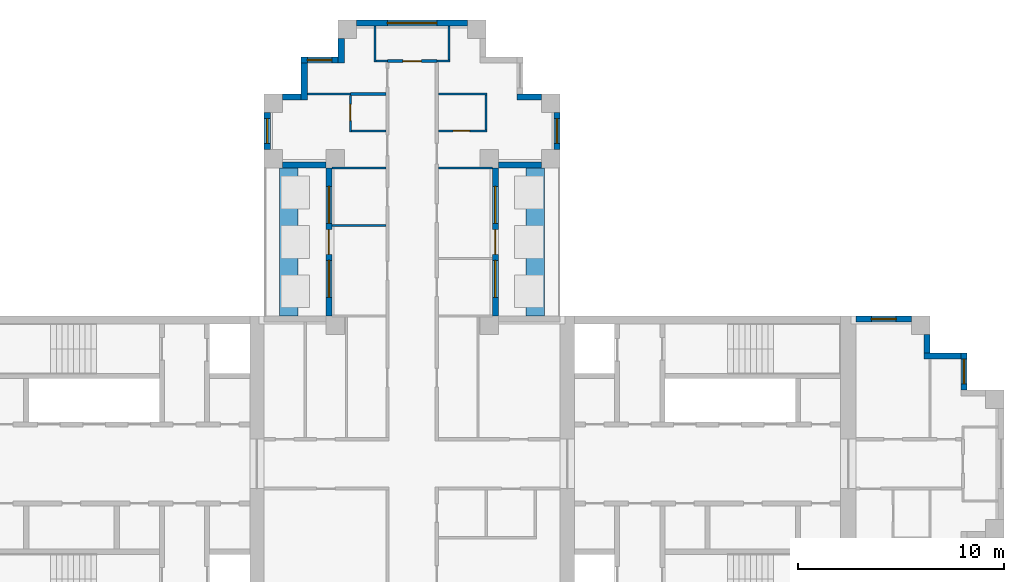
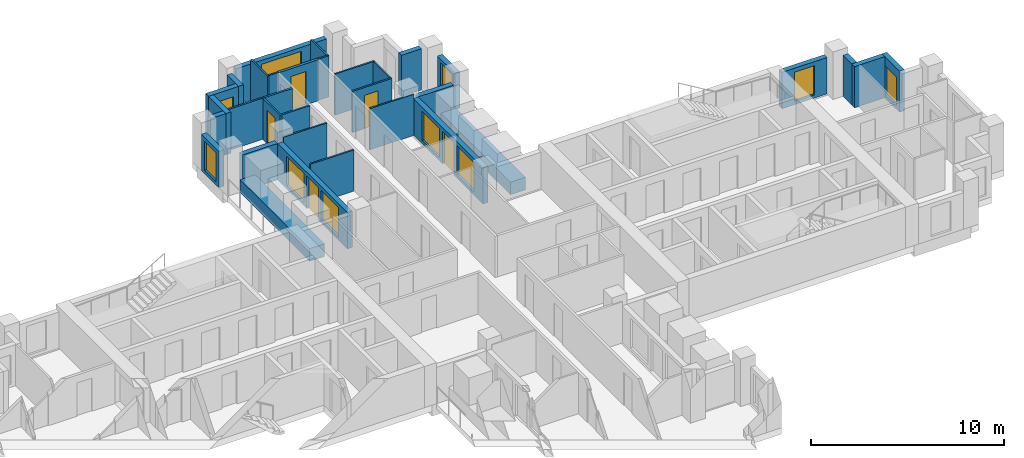
# One storey, part 7 of 10: 33 walls, 10 windows, 5 doors, 15 openings.
"""IFC4 building model written with IfcOpenShell, lengths in metres."""

from ifc_helpers import new_model, si_unit, direction, frame, frame_2d, origin, place, context, subcontext, project, spatial, rectangle, extrude, material, layer, layer_set, type_object, element, fill, save


model = new_model("IFC4")

# Units and contexts
model_context = context("Model", 3, precision=1e-05, world=origin(), true_north=direction((0.0, 1.0)))
body_context = subcontext(model_context, "Body", "Model", "MODEL_VIEW")
ifc_project = project(units=[si_unit("LENGTHUNIT", "METRE"), si_unit("AREAUNIT", "SQUARE_METRE"), si_unit("VOLUMEUNIT", "CUBIC_METRE"), si_unit("PLANEANGLEUNIT", "RADIAN"), si_unit("MASSUNIT", "GRAM", prefix="KILO")], contexts=[model_context])

# Site, building, storey
site_placement = place(None, origin())
site = spatial("IfcSite", under=ifc_project, at=site_placement, CompositionType="ELEMENT")
building_placement = place(site_placement, origin())
building = spatial("IfcBuilding", under=site, at=building_placement, Name="Fustian Cross Tower", CompositionType="ELEMENT")
storey_placement = place(building_placement, frame((0.0, 0.0, 207.89990234375)))
storey = spatial("IfcBuildingStorey", under=building, at=storey_placement, Name="L65", CompositionType="ELEMENT", Elevation=207.89990234375)

# Wall, opening, door
ifc_material_1 = material(Name="Plasterboard on steel stud", Category="steel")
ifc_layer_1 = layer(ifc_material_1, 0.14990234375)
ifc_layer_set_1 = layer_set([ifc_layer_1], Name="Plasterboard on steel stud")
wall_type_1 = type_object("IfcWallType", Name="COMPARTMENT WALL 150 EI 60", PredefinedType="PARTITIONING", material=ifc_layer_set_1)
wall_1_placement = place(storey_placement, frame((-1.199951171875, 19.60009765625, 0.0), z_axis=(0.0, 0.0, 1.0), x_axis=(1.0, 0.0, 0.0)))
wall_1 = element("IfcWall", 1, at=wall_1_placement, inside=storey, type_object=wall_type_1, Name="Partition 31", PredefinedType="PARTITIONING", context=body_context, shape_type="SweptSolid", body=[
    extrude(rectangle(XDim=2.39990234375, YDim=0.14990234375, at=frame_2d((1.199951171875, 0.0))), origin(), (0.0, 0.0, 1.0), 2.60009765625),
])
opening_1_placement = place(wall_1_placement, frame((0.75, 0.0, 0.0)))
opening_1 = element("IfcOpeningElement", 2, at=opening_1_placement, cuts=wall_1, Name="Opening D30015", PredefinedType="OPENING", context=body_context, shape_type="SweptSolid", body=[
    extrude(rectangle(XDim=0.89990234375, YDim=2.10009765625, at=frame_2d((0.449951171875, 1.050048828125))), frame((0.0, 0.0849609375, 0.0), z_axis=(0.0, -1.0, 0.0), x_axis=(1.0, 0.0, 0.0)), (0.0, 0.0, 1.0), 0.169921875),
])
ifc_material_2 = material(Name="Timber fire door set", Category="wood")
door_type_1 = type_object("IfcDoorType", Name="FIRE SWING DOOR 900 FD30S", OperationType="SINGLE_SWING_LEFT", PredefinedType="DOOR", material=ifc_material_2)
door_1_placement = place(opening_1_placement, origin())
door_1 = element("IfcDoor", 3, at=door_1_placement, inside=storey, type_object=door_type_1, Name="Door D30015", OperationType="SINGLE_SWING_LEFT", OverallHeight=2.10009765625, OverallWidth=0.89990234375, PredefinedType="DOOR", context=body_context, shape_type="SweptSolid", body=[
    extrude(rectangle(XDim=0.89990234375, YDim=2.10009765625, at=frame_2d((0.449951171875, 1.050048828125))), frame((0.0, 0.02490234375, 0.0), z_axis=(0.0, -1.0, 0.0), x_axis=(1.0, 0.0, 0.0)), (0.0, 0.0, 1.0), 0.050048828125),
])
fill(opening_1, door_1)

# Walls
ifc_material_3 = material(Name="Plasterboard on steel stud", Category="steel")
ifc_layer_2 = layer(ifc_material_3, 0.10009765625)
ifc_layer_set_2 = layer_set([ifc_layer_2], Name="Plasterboard on steel stud")
wall_type_2 = type_object("IfcWallType", Name="PARTITION 100 STUD", PredefinedType="PARTITIONING", material=ifc_layer_set_2)
wall_2_placement = place(storey_placement, frame((-5.10009765625, 18.0, 0.0), z_axis=(0.0, 0.0, 1.0), x_axis=(1.0, 0.0, 0.0)))
element("IfcWall", 4, at=wall_2_placement, inside=storey, type_object=wall_type_2, Name="Partition 13", PredefinedType="PARTITIONING", context=body_context, shape_type="SweptSolid", body=[
    extrude(rectangle(XDim=2.10009765625, YDim=0.10009765625, at=frame_2d((1.050048828125, 0.0))), origin(), (0.0, 0.0, 1.0), 2.60009765625),
])
for number, where, z_axis, x_axis, name in (
    (5, (-3.89990234375, 11.60009765625, 0.0), (0.0, 0.0, 1.0), (1.0, 0.0, 0.0), "Partition 18"),
    (6, (-3.89990234375, 14.39990234375, 0.0), (0.0, 0.0, 1.0), (1.0, 0.0, 0.0), "Partition 19"),
):
    element("IfcWall", number, at=place(storey_placement, frame(where, z_axis=z_axis, x_axis=x_axis)), inside=storey, type_object=wall_type_2, Name=name, PredefinedType="PARTITIONING", context=body_context, shape_type="SweptSolid", body=[
        extrude(rectangle(XDim=2.625, YDim=0.10009765625, at=frame_2d((1.3125, 0.0))), origin(), (0.0, 0.0, 1.0), 2.60009765625),
    ])

# Wall, opening, door
wall_3_placement = place(storey_placement, frame((-3.0, 16.14990234375, 0.0), z_axis=(0.0, 0.0, 1.0), x_axis=(0.0, 1.0, 0.0)))
wall_3 = element("IfcWall", 7, at=wall_3_placement, inside=storey, type_object=wall_type_2, Name="Partition 21", PredefinedType="PARTITIONING", context=body_context, shape_type="SweptSolid", body=[
    extrude(rectangle(XDim=1.78759765625, YDim=0.10009765625, at=frame_2d((0.893798828125, 0.0))), origin(), (0.0, 0.0, 1.0), 2.60009765625),
])
opening_2_placement = place(wall_3_placement, frame((0.550048828125, 0.0, 0.0)))
opening_2 = element("IfcOpeningElement", 8, at=opening_2_placement, cuts=wall_3, Name="Opening D30018", PredefinedType="OPENING", context=body_context, shape_type="SweptSolid", body=[
    extrude(rectangle(XDim=0.800048828125, YDim=2.10009765625, at=frame_2d((0.39990234375, 1.050048828125))), frame((0.0, 0.06005859375, 0.0), z_axis=(0.0, -1.0, 0.0), x_axis=(1.0, 0.0, 0.0)), (0.0, 0.0, 1.0), 0.1201171875),
])
ifc_material_4 = material(Name="Painted timber", Category="wood")
door_type_2 = type_object("IfcDoorType", Name="SWING DOOR 800", OperationType="SINGLE_SWING_LEFT", PredefinedType="DOOR", material=ifc_material_4)
door_2_placement = place(opening_2_placement, frame((0.800048828125, 0.0, 0.0), z_axis=(0.0, 0.0, 1.0), x_axis=(-1.0, 0.0, 0.0)))
door_2 = element("IfcDoor", 9, at=door_2_placement, inside=storey, type_object=door_type_2, Name="Door D30018", OperationType="SINGLE_SWING_LEFT", OverallHeight=2.10009765625, OverallWidth=0.800048828125, PredefinedType="DOOR", context=body_context, shape_type="SweptSolid", body=[
    extrude(rectangle(XDim=0.800048828125, YDim=2.10009765625, at=frame_2d((0.39990234375, 1.050048828125))), frame((0.0, 0.02490234375, 0.0), z_axis=(0.0, -1.0, 0.0), x_axis=(1.0, 0.0, 0.0)), (0.0, 0.0, 1.0), 0.050048828125),
])
fill(opening_2, door_2)

# Walls
wall_4_placement = place(storey_placement, frame((-2.949951171875, 16.199951171875, 0.0), z_axis=(0.0, 0.0, 1.0), x_axis=(1.0, 0.0, 0.0)))
element("IfcWall", 10, at=wall_4_placement, inside=storey, type_object=wall_type_2, Name="Partition 22", PredefinedType="PARTITIONING", context=body_context, shape_type="SweptSolid", body=[
    extrude(rectangle(XDim=1.675048828125, YDim=0.10009765625, at=frame_2d((0.83740234375, 0.0))), origin(), (0.0, 0.0, 1.0), 2.60009765625),
])
wall_5_placement = place(storey_placement, frame((-1.800048828125, 19.550048828125, 0.0), z_axis=(0.0, 0.0, 1.0), x_axis=(0.0, 1.0, 0.0)))
element("IfcWall", 11, at=wall_5_placement, inside=storey, type_object=wall_type_2, Name="Partition 26", PredefinedType="PARTITIONING", context=body_context, shape_type="SweptSolid", body=[
    extrude(rectangle(XDim=1.75, YDim=0.10009765625, at=frame_2d((0.875, 0.0))), origin(), (0.0, 0.0, 1.0), 2.60009765625),
])
wall_6_placement = place(storey_placement, frame((-1.75, 19.60009765625, 0.0), z_axis=(0.0, 0.0, 1.0), x_axis=(1.0, 0.0, 0.0)))
element("IfcWall", 12, at=wall_6_placement, inside=storey, type_object=wall_type_2, Name="Partition 27", PredefinedType="PARTITIONING", context=body_context, shape_type="SweptSolid", body=[
    extrude(rectangle(XDim=0.550048828125, YDim=0.10009765625, at=frame_2d((0.27490234375, 0.0))), origin(), (0.0, 0.0, 1.0), 2.60009765625),
])
wall_7_placement = place(storey_placement, frame((1.27490234375, 14.39990234375, 0.0), z_axis=(0.0, 0.0, 1.0), x_axis=(1.0, 0.0, 0.0)))
element("IfcWall", 13, at=wall_7_placement, inside=storey, type_object=wall_type_2, Name="Partition 42", PredefinedType="PARTITIONING", context=body_context, shape_type="SweptSolid", body=[
    extrude(rectangle(XDim=2.625, YDim=0.10009765625, at=frame_2d((1.3125, 0.0))), origin(), (0.0, 0.0, 1.0), 2.60009765625),
])

# Wall, opening, door
wall_8_placement = place(storey_placement, frame((1.27490234375, 16.199951171875, 0.0), z_axis=(0.0, 0.0, 1.0), x_axis=(1.0, 0.0, 0.0)))
wall_8 = element("IfcWall", 14, at=wall_8_placement, inside=storey, type_object=wall_type_2, Name="Partition 43", PredefinedType="PARTITIONING", context=body_context, shape_type="SweptSolid", body=[
    extrude(rectangle(XDim=2.375, YDim=0.10009765625, at=frame_2d((1.1875, 0.0))), origin(), (0.0, 0.0, 1.0), 2.60009765625),
])
opening_3_placement = place(wall_8_placement, frame((0.72509765625, 0.0, 0.0)))
opening_3 = element("IfcOpeningElement", 15, at=opening_3_placement, cuts=wall_8, Name="Opening D30023", PredefinedType="OPENING", context=body_context, shape_type="SweptSolid", body=[
    extrude(rectangle(XDim=0.800048828125, YDim=2.10009765625, at=frame_2d((0.39990234375, 1.050048828125))), frame((0.0, 0.06005859375, 0.0), z_axis=(0.0, -1.0, 0.0), x_axis=(1.0, 0.0, 0.0)), (0.0, 0.0, 1.0), 0.1201171875),
])
door_3_placement = place(opening_3_placement, origin())
door_3 = element("IfcDoor", 16, at=door_3_placement, inside=storey, type_object=door_type_2, Name="Door D30023", OperationType="SINGLE_SWING_LEFT", OverallHeight=2.10009765625, OverallWidth=0.800048828125, PredefinedType="DOOR", context=body_context, shape_type="SweptSolid", body=[
    extrude(rectangle(XDim=0.800048828125, YDim=2.10009765625, at=frame_2d((0.39990234375, 1.050048828125))), frame((0.0, 0.02490234375, 0.0), z_axis=(0.0, -1.0, 0.0), x_axis=(1.0, 0.0, 0.0)), (0.0, 0.0, 1.0), 0.050048828125),
])
fill(opening_3, door_3)

# Walls
wall_9_placement = place(storey_placement, frame((1.27490234375, 18.0, 0.0), z_axis=(0.0, 0.0, 1.0), x_axis=(1.0, 0.0, 0.0)))
element("IfcWall", 17, at=wall_9_placement, inside=storey, type_object=wall_type_2, Name="Partition 44", PredefinedType="PARTITIONING", context=body_context, shape_type="SweptSolid", body=[
    extrude(rectangle(XDim=2.375, YDim=0.10009765625, at=frame_2d((1.1875, 0.0))), origin(), (0.0, 0.0, 1.0), 2.60009765625),
])
wall_10_placement = place(storey_placement, frame((1.199951171875, 19.60009765625, 0.0), z_axis=(0.0, 0.0, 1.0), x_axis=(1.0, 0.0, 0.0)))
element("IfcWall", 18, at=wall_10_placement, inside=storey, type_object=wall_type_2, Name="Partition 45", PredefinedType="PARTITIONING", context=body_context, shape_type="SweptSolid", body=[
    extrude(rectangle(XDim=0.650146484375, YDim=0.10009765625, at=frame_2d((0.3251953125, 0.0))), origin(), (0.0, 0.0, 1.0), 2.60009765625),
])
wall_11_placement = place(storey_placement, frame((1.800048828125, 19.64990234375, 0.0), z_axis=(0.0, 0.0, 1.0), x_axis=(0.0, 1.0, 0.0)))
element("IfcWall", 19, at=wall_11_placement, inside=storey, type_object=wall_type_2, Name="Partition 47", PredefinedType="PARTITIONING", context=body_context, shape_type="SweptSolid", body=[
    extrude(rectangle(XDim=1.650146484375, YDim=0.10009765625, at=frame_2d((0.8251953125, 0.0))), origin(), (0.0, 0.0, 1.0), 2.60009765625),
])
wall_12_placement = place(storey_placement, frame((3.60009765625, 16.25, 0.0), z_axis=(0.0, 0.0, 1.0), x_axis=(0.0, 1.0, 0.0)))
element("IfcWall", 20, at=wall_12_placement, inside=storey, type_object=wall_type_2, Name="Partition 50", PredefinedType="PARTITIONING", context=body_context, shape_type="SweptSolid", body=[
    extrude(rectangle(XDim=1.699951171875, YDim=0.10009765625, at=frame_2d((0.85009765625, 0.0))), origin(), (0.0, 0.0, 1.0), 2.60009765625),
])
ifc_material_5 = material(Name="Concrete C40/50", Category="concrete")
ifc_layer_3 = layer(ifc_material_5, 0.89990234375)
ifc_layer_set_3 = layer_set([ifc_layer_3], Name="Concrete C40/50")
wall_type_3 = type_object("IfcWallType", Name="PK1 PLANTER 900", PredefinedType="PARAPET", material=ifc_layer_set_3)
for number, where, z_axis, x_axis, name in (
    (21, (6.0, 7.199951171875, 0.0), (0.0, 0.0, 1.0), (0.0, 1.0, 0.0), "PLANTER"),
    (22, (-6.0, 7.199951171875, 0.0), (0.0, 0.0, 1.0), (0.0, 1.0, 0.0), "PLANTER"),
):
    element("IfcWall", number, at=place(storey_placement, frame(where, z_axis=z_axis, x_axis=x_axis)), inside=storey, type_object=wall_type_3, Name=name, PredefinedType="PARAPET", context=body_context, shape_type="SweptSolid", body=[
        extrude(rectangle(XDim=7.199951171875, YDim=0.89990234375, at=frame_2d((3.60009765625, 0.0))), origin(), (0.0, 0.0, 1.0), 0.800048828125),
    ])
ifc_material_6 = material(Name="Plasterboard on steel stud", Category="steel")
ifc_layer_4 = layer(ifc_material_6, 0.125)
ifc_layer_set_4 = layer_set([ifc_layer_4], Name="Plasterboard on steel stud")
wall_type_4 = type_object("IfcWallType", Name="WET WALL 125 STUD", PredefinedType="PARTITIONING", material=ifc_layer_set_4)
wall_13_placement = place(storey_placement, frame((-3.0, 18.0, 0.0), z_axis=(0.0, 0.0, 1.0), x_axis=(1.0, 0.0, 0.0)))
element("IfcWall", 23, at=wall_13_placement, inside=storey, type_object=wall_type_4, Name="Partition 23", PredefinedType="PARTITIONING", context=body_context, shape_type="SweptSolid", body=[
    extrude(rectangle(XDim=1.72509765625, YDim=0.125, at=frame_2d((0.862548828125, 0.0))), origin(), (0.0, 0.0, 1.0), 2.60009765625),
])

# Wall, opening, window
ifc_material_7 = material(Name="Dark aluminium cladding on insulated backing wall", Category="aluminium")
ifc_layer_5 = layer(ifc_material_7, 0.300048828125)
ifc_layer_set_5 = layer_set([ifc_layer_5], Name="Dark aluminium cladding on insulated backing wall")
wall_type_5 = type_object("IfcWallType", Name="XW1 EXTERNAL WALL 300", PredefinedType="SOLIDWALL", material=ifc_layer_set_5)
wall_14_placement = place(storey_placement, frame((26.85009765625, 3.60009765625, 0.0), z_axis=(0.0, 0.0, 1.0), x_axis=(0.0, 1.0, 0.0)))
wall_14 = element("IfcWall", 24, at=wall_14_placement, inside=storey, type_object=wall_type_5, Name="External wall", PredefinedType="SOLIDWALL", context=body_context, shape_type="SweptSolid", body=[
    extrude(rectangle(XDim=1.7998046875, YDim=0.300048828125, at=frame_2d((0.89990234375, 0.0))), origin(), (0.0, 0.0, 1.0), 2.60009765625),
])
opening_4_placement = place(wall_14_placement, frame((0.300048828125, 0.0, 0.199951171875)))
opening_4 = element("IfcOpeningElement", 25, at=opening_4_placement, cuts=wall_14, Name="Opening WN3", PredefinedType="OPENING", context=body_context, shape_type="SweptSolid", body=[
    extrude(rectangle(XDim=1.199951171875, YDim=1.85009765625, at=frame_2d((0.60009765625, 0.925048828125))), frame((0.0, 0.159912109375, 0.0), z_axis=(0.0, -1.0, 0.0), x_axis=(1.0, 0.0, 0.0)), (0.0, 0.0, 1.0), 0.320068359375),
])
ifc_material_8 = material(Name="Dark anodised aluminium and double glazing", Category="aluminium")
window_type_1 = type_object("IfcWindowType", Name="WN3 WINDOW 1200X1850", PartitioningType="SINGLE_PANEL", PredefinedType="WINDOW", material=ifc_material_8)
window_1_placement = place(opening_4_placement, origin())
window_1 = element("IfcWindow", 26, at=window_1_placement, inside=storey, type_object=window_type_1, Name="Window", OverallHeight=1.85009765625, OverallWidth=1.199951171875, PartitioningType="SINGLE_PANEL", PredefinedType="WINDOW", context=body_context, shape_type="SweptSolid", body=[
    extrude(rectangle(XDim=1.199951171875, YDim=1.85009765625, at=frame_2d((0.60009765625, 0.925048828125))), frame((0.0, 0.030029296875, 0.0), z_axis=(0.0, -1.0, 0.0), x_axis=(1.0, 0.0, 0.0)), (0.0, 0.0, 1.0), 0.06005859375),
])
fill(opening_4, window_1)

# Walls
wall_15_placement = place(storey_placement, frame((26.699951171875, 5.25, 0.0), z_axis=(0.0, 0.0, 1.0), x_axis=(-1.0, 0.0, 0.0)))
element("IfcWall", 27, at=wall_15_placement, inside=storey, type_object=wall_type_5, Name="External wall", PredefinedType="SOLIDWALL", context=body_context, shape_type="SweptSolid", body=[
    extrude(rectangle(XDim=1.800048828125, YDim=0.300048828125, at=frame_2d((0.89990234375, 0.0))), origin(), (0.0, 0.0, 1.0), 2.60009765625),
])
wall_16_placement = place(storey_placement, frame((25.050048828125, 5.39990234375, 0.0), z_axis=(0.0, 0.0, 1.0), x_axis=(0.0, 1.0, 0.0)))
element("IfcWall", 28, at=wall_16_placement, inside=storey, type_object=wall_type_5, Name="External wall", PredefinedType="SOLIDWALL", context=body_context, shape_type="SweptSolid", body=[
    extrude(rectangle(XDim=0.900146484375, YDim=0.300048828125, at=frame_2d((0.4501953125, 0.0))), origin(), (0.0, 0.0, 1.0), 2.60009765625),
])

# Wall, opening, window
wall_17_placement = place(storey_placement, frame((24.300048828125, 7.050048828125, 0.0), z_axis=(0.0, 0.0, 1.0), x_axis=(-1.0, 0.0, 0.0)))
wall_17 = element("IfcWall", 29, at=wall_17_placement, inside=storey, type_object=wall_type_5, Name="External wall", PredefinedType="SOLIDWALL", context=body_context, shape_type="SweptSolid", body=[
    extrude(rectangle(XDim=2.699951171875, YDim=0.300048828125, at=frame_2d((1.35009765625, 0.0))), origin(), (0.0, 0.0, 1.0), 2.300048828125),
])
opening_5_placement = place(wall_17_placement, frame((0.75, 0.0, 0.199951171875)))
opening_5 = element("IfcOpeningElement", 30, at=opening_5_placement, cuts=wall_17, Name="Opening WN3", PredefinedType="OPENING", context=body_context, shape_type="SweptSolid", body=[
    extrude(rectangle(XDim=1.199951171875, YDim=1.85009765625, at=frame_2d((0.60009765625, 0.925048828125))), frame((0.0, 0.159912109375, 0.0), z_axis=(0.0, -1.0, 0.0), x_axis=(1.0, 0.0, 0.0)), (0.0, 0.0, 1.0), 0.320068359375),
])
window_2_placement = place(opening_5_placement, origin())
window_2 = element("IfcWindow", 31, at=window_2_placement, inside=storey, type_object=window_type_1, Name="Window", OverallHeight=1.85009765625, OverallWidth=1.199951171875, PartitioningType="SINGLE_PANEL", PredefinedType="WINDOW", context=body_context, shape_type="SweptSolid", body=[
    extrude(rectangle(XDim=1.199951171875, YDim=1.85009765625, at=frame_2d((0.60009765625, 0.925048828125))), frame((0.0, 0.030029296875, 0.0), z_axis=(0.0, -1.0, 0.0), x_axis=(1.0, 0.0, 0.0)), (0.0, 0.0, 1.0), 0.06005859375),
])
fill(opening_5, window_2)

# Wall, openings, door, windows
wall_18_placement = place(storey_placement, frame((4.050048828125, 7.199951171875, 0.0), z_axis=(0.0, 0.0, 1.0), x_axis=(0.0, 1.0, 0.0)))
wall_18 = element("IfcWall", 32, at=wall_18_placement, inside=storey, type_object=wall_type_5, Name="External wall", PredefinedType="SOLIDWALL", context=body_context, shape_type="SweptSolid", body=[
    extrude(rectangle(XDim=7.199951171875, YDim=0.300048828125, at=frame_2d((3.60009765625, 0.0))), origin(), (0.0, 0.0, 1.0), 2.300048828125),
])
opening_6_placement = place(wall_18_placement, frame((3.0, 0.0, 0.0)))
opening_6 = element("IfcOpeningElement", 33, at=opening_6_placement, cuts=wall_18, Name="Opening XD1", PredefinedType="OPENING", context=body_context, shape_type="SweptSolid", body=[
    extrude(rectangle(XDim=1.199951171875, YDim=2.050048828125, at=frame_2d((0.60009765625, 1.02490234375))), frame((0.0, 0.159912109375, 0.0), z_axis=(0.0, -1.0, 0.0), x_axis=(1.0, 0.0, 0.0)), (0.0, 0.0, 1.0), 0.320068359375),
])
opening_7_placement = place(wall_18_placement, frame((0.89990234375, 0.0, 0.199951171875)))
opening_7 = element("IfcOpeningElement", 34, at=opening_7_placement, cuts=wall_18, Name="Opening WN2", PredefinedType="OPENING", context=body_context, shape_type="SweptSolid", body=[
    extrude(rectangle(XDim=1.800048828125, YDim=1.85009765625, at=frame_2d((0.89990234375, 0.925048828125))), frame((0.0, 0.159912109375, 0.0), z_axis=(0.0, -1.0, 0.0), x_axis=(1.0, 0.0, 0.0)), (0.0, 0.0, 1.0), 0.320068359375),
])
opening_8_placement = place(wall_18_placement, frame((4.5, 0.0, 0.199951171875)))
opening_8 = element("IfcOpeningElement", 35, at=opening_8_placement, cuts=wall_18, Name="Opening WN2", PredefinedType="OPENING", context=body_context, shape_type="SweptSolid", body=[
    extrude(rectangle(XDim=1.800048828125, YDim=1.85009765625, at=frame_2d((0.89990234375, 0.925048828125))), frame((0.0, 0.159912109375, 0.0), z_axis=(0.0, -1.0, 0.0), x_axis=(1.0, 0.0, 0.0)), (0.0, 0.0, 1.0), 0.320068359375),
])
ifc_material_9 = material(Name="Dark anodised aluminium and double glazing", Category="aluminium")
door_type_3 = type_object("IfcDoorType", Name="ED1 BALCONY DOOR 1200X2050", OperationType="SINGLE_SWING_LEFT", PredefinedType="DOOR", material=ifc_material_9)
door_4_placement = place(opening_6_placement, origin())
door_4 = element("IfcDoor", 36, at=door_4_placement, inside=storey, type_object=door_type_3, Name="Balcony door", OperationType="SINGLE_SWING_LEFT", OverallHeight=2.050048828125, OverallWidth=1.199951171875, PredefinedType="DOOR", context=body_context, shape_type="SweptSolid", body=[
    extrude(rectangle(XDim=1.199951171875, YDim=2.050048828125, at=frame_2d((0.60009765625, 1.02490234375))), frame((0.0, 0.02490234375, 0.0), z_axis=(0.0, -1.0, 0.0), x_axis=(1.0, 0.0, 0.0)), (0.0, 0.0, 1.0), 0.050048828125),
])
fill(opening_6, door_4)
ifc_material_10 = material(Name="Dark anodised aluminium and double glazing", Category="aluminium")
window_type_2 = type_object("IfcWindowType", Name="WN2 WINDOW 1800X1850", PartitioningType="SINGLE_PANEL", PredefinedType="WINDOW", material=ifc_material_10)
window_3_placement = place(opening_7_placement, origin())
window_3 = element("IfcWindow", 37, at=window_3_placement, inside=storey, type_object=window_type_2, Name="Window", OverallHeight=1.85009765625, OverallWidth=1.800048828125, PartitioningType="SINGLE_PANEL", PredefinedType="WINDOW", context=body_context, shape_type="SweptSolid", body=[
    extrude(rectangle(XDim=1.800048828125, YDim=1.85009765625, at=frame_2d((0.89990234375, 0.925048828125))), frame((0.0, 0.030029296875, 0.0), z_axis=(0.0, -1.0, 0.0), x_axis=(1.0, 0.0, 0.0)), (0.0, 0.0, 1.0), 0.06005859375),
])
fill(opening_7, window_3)
window_4_placement = place(opening_8_placement, origin())
window_4 = element("IfcWindow", 38, at=window_4_placement, inside=storey, type_object=window_type_2, Name="Window", OverallHeight=1.85009765625, OverallWidth=1.800048828125, PartitioningType="SINGLE_PANEL", PredefinedType="WINDOW", context=body_context, shape_type="SweptSolid", body=[
    extrude(rectangle(XDim=1.800048828125, YDim=1.85009765625, at=frame_2d((0.89990234375, 0.925048828125))), frame((0.0, 0.030029296875, 0.0), z_axis=(0.0, -1.0, 0.0), x_axis=(1.0, 0.0, 0.0)), (0.0, 0.0, 1.0), 0.06005859375),
])
fill(opening_8, window_4)

# Wall
wall_19_placement = place(storey_placement, frame((4.199951171875, 14.550048828125, 0.0), z_axis=(0.0, 0.0, 1.0), x_axis=(1.0, 0.0, 0.0)))
element("IfcWall", 39, at=wall_19_placement, inside=storey, type_object=wall_type_5, Name="External wall", PredefinedType="SOLIDWALL", context=body_context, shape_type="SweptSolid", body=[
    extrude(rectangle(XDim=2.10009765625, YDim=0.300048828125, at=frame_2d((1.050048828125, 0.0))), origin(), (0.0, 0.0, 1.0), 2.300048828125),
])

# Wall, opening, window
wall_20_placement = place(storey_placement, frame((7.050048828125, 15.300048828125, 0.0), z_axis=(0.0, 0.0, 1.0), x_axis=(0.0, 1.0, 0.0)))
wall_20 = element("IfcWall", 40, at=wall_20_placement, inside=storey, type_object=wall_type_5, Name="External wall", PredefinedType="SOLIDWALL", context=body_context, shape_type="SweptSolid", body=[
    extrude(rectangle(XDim=1.800048828125, YDim=0.300048828125, at=frame_2d((0.89990234375, 0.0))), origin(), (0.0, 0.0, 1.0), 2.300048828125),
])
opening_9_placement = place(wall_20_placement, frame((0.300048828125, 0.0, 0.199951171875)))
opening_9 = element("IfcOpeningElement", 41, at=opening_9_placement, cuts=wall_20, Name="Opening WN3", PredefinedType="OPENING", context=body_context, shape_type="SweptSolid", body=[
    extrude(rectangle(XDim=1.199951171875, YDim=1.85009765625, at=frame_2d((0.60009765625, 0.925048828125))), frame((0.0, 0.159912109375, 0.0), z_axis=(0.0, -1.0, 0.0), x_axis=(1.0, 0.0, 0.0)), (0.0, 0.0, 1.0), 0.320068359375),
])
window_5_placement = place(opening_9_placement, origin())
window_5 = element("IfcWindow", 42, at=window_5_placement, inside=storey, type_object=window_type_1, Name="Window", OverallHeight=1.85009765625, OverallWidth=1.199951171875, PartitioningType="SINGLE_PANEL", PredefinedType="WINDOW", context=body_context, shape_type="SweptSolid", body=[
    extrude(rectangle(XDim=1.199951171875, YDim=1.85009765625, at=frame_2d((0.60009765625, 0.925048828125))), frame((0.0, 0.030029296875, 0.0), z_axis=(0.0, -1.0, 0.0), x_axis=(1.0, 0.0, 0.0)), (0.0, 0.0, 1.0), 0.06005859375),
])
fill(opening_9, window_5)

# Wall
wall_21_placement = place(storey_placement, frame((6.300048828125, 17.85009765625, 0.0), z_axis=(0.0, 0.0, 1.0), x_axis=(-1.0, 0.0, 0.0)))
element("IfcWall", 43, at=wall_21_placement, inside=storey, type_object=wall_type_5, Name="External wall", PredefinedType="SOLIDWALL", context=body_context, shape_type="SweptSolid", body=[
    extrude(rectangle(XDim=1.199951171875, YDim=0.300048828125, at=frame_2d((0.60009765625, 0.0))), origin(), (0.0, 0.0, 1.0), 2.60009765625),
])

# Wall, opening, window
wall_22_placement = place(storey_placement, frame((2.699951171875, 21.449951171875, 0.0), z_axis=(0.0, 0.0, 1.0), x_axis=(-1.0, 0.0, 0.0)))
wall_22 = element("IfcWall", 44, at=wall_22_placement, inside=storey, type_object=wall_type_5, Name="External wall", PredefinedType="SOLIDWALL", context=body_context, shape_type="SweptSolid", body=[
    extrude(rectangle(XDim=5.39990234375, YDim=0.300048828125, at=frame_2d((2.699951171875, 0.0))), origin(), (0.0, 0.0, 1.0), 2.300048828125),
])
opening_10_placement = place(wall_22_placement, frame((1.5, 0.0, 0.199951171875)))
opening_10 = element("IfcOpeningElement", 45, at=opening_10_placement, cuts=wall_22, Name="Opening WN1", PredefinedType="OPENING", context=body_context, shape_type="SweptSolid", body=[
    extrude(rectangle(XDim=2.39990234375, YDim=1.85009765625, at=frame_2d((1.199951171875, 0.925048828125))), frame((0.0, 0.159912109375, 0.0), z_axis=(0.0, -1.0, 0.0), x_axis=(1.0, 0.0, 0.0)), (0.0, 0.0, 1.0), 0.320068359375),
])
ifc_material_11 = material(Name="Dark anodised aluminium and double glazing", Category="aluminium")
window_type_3 = type_object("IfcWindowType", Name="WN1 WINDOW 2400X1850", PartitioningType="SINGLE_PANEL", PredefinedType="WINDOW", material=ifc_material_11)
window_6_placement = place(opening_10_placement, origin())
window_6 = element("IfcWindow", 46, at=window_6_placement, inside=storey, type_object=window_type_3, Name="Window", OverallHeight=1.85009765625, OverallWidth=2.39990234375, PartitioningType="SINGLE_PANEL", PredefinedType="WINDOW", context=body_context, shape_type="SweptSolid", body=[
    extrude(rectangle(XDim=2.39990234375, YDim=1.85009765625, at=frame_2d((1.199951171875, 0.925048828125))), frame((0.0, 0.030029296875, 0.0), z_axis=(0.0, -1.0, 0.0), x_axis=(1.0, 0.0, 0.0)), (0.0, 0.0, 1.0), 0.06005859375),
])
fill(opening_10, window_6)

# Wall
wall_23_placement = place(storey_placement, frame((-3.449951171875, 20.699951171875, 0.0), z_axis=(0.0, 0.0, 1.0), x_axis=(0.0, -1.0, 0.0)))
element("IfcWall", 47, at=wall_23_placement, inside=storey, type_object=wall_type_5, Name="External wall", PredefinedType="SOLIDWALL", context=body_context, shape_type="SweptSolid", body=[
    extrude(rectangle(XDim=1.199951171875, YDim=0.300048828125, at=frame_2d((0.60009765625, 0.0))), origin(), (0.0, 0.0, 1.0), 2.60009765625),
])

# Wall, opening, window
wall_24_placement = place(storey_placement, frame((-3.60009765625, 19.64990234375, 0.0), z_axis=(0.0, 0.0, 1.0), x_axis=(-1.0, 0.0, 0.0)))
wall_24 = element("IfcWall", 48, at=wall_24_placement, inside=storey, type_object=wall_type_5, Name="External wall", PredefinedType="SOLIDWALL", context=body_context, shape_type="SweptSolid", body=[
    extrude(rectangle(XDim=1.7998046875, YDim=0.300048828125, at=frame_2d((0.89990234375, 0.0))), origin(), (0.0, 0.0, 1.0), 2.60009765625),
])
opening_11_placement = place(wall_24_placement, frame((0.300048828125, 0.0, 0.199951171875)))
opening_11 = element("IfcOpeningElement", 49, at=opening_11_placement, cuts=wall_24, Name="Opening WN3", PredefinedType="OPENING", context=body_context, shape_type="SweptSolid", body=[
    extrude(rectangle(XDim=1.199951171875, YDim=1.85009765625, at=frame_2d((0.60009765625, 0.925048828125))), frame((0.0, 0.159912109375, 0.0), z_axis=(0.0, -1.0, 0.0), x_axis=(1.0, 0.0, 0.0)), (0.0, 0.0, 1.0), 0.320068359375),
])
window_7_placement = place(opening_11_placement, origin())
window_7 = element("IfcWindow", 50, at=window_7_placement, inside=storey, type_object=window_type_1, Name="Window", OverallHeight=1.85009765625, OverallWidth=1.199951171875, PartitioningType="SINGLE_PANEL", PredefinedType="WINDOW", context=body_context, shape_type="SweptSolid", body=[
    extrude(rectangle(XDim=1.199951171875, YDim=1.85009765625, at=frame_2d((0.60009765625, 0.925048828125))), frame((0.0, 0.030029296875, 0.0), z_axis=(0.0, -1.0, 0.0), x_axis=(1.0, 0.0, 0.0)), (0.0, 0.0, 1.0), 0.06005859375),
])
fill(opening_11, window_7)

# Walls
wall_25_placement = place(storey_placement, frame((-5.25, 19.5, 0.0), z_axis=(0.0, 0.0, 1.0), x_axis=(0.0, -1.0, 0.0)))
element("IfcWall", 51, at=wall_25_placement, inside=storey, type_object=wall_type_5, Name="External wall", PredefinedType="SOLIDWALL", context=body_context, shape_type="SweptSolid", body=[
    extrude(rectangle(XDim=1.800048828125, YDim=0.300048828125, at=frame_2d((0.89990234375, 0.0))), origin(), (0.0, 0.0, 1.0), 2.60009765625),
])
wall_26_placement = place(storey_placement, frame((-5.39990234375, 17.85009765625, 0.0), z_axis=(0.0, 0.0, 1.0), x_axis=(-1.0, 0.0, 0.0)))
element("IfcWall", 52, at=wall_26_placement, inside=storey, type_object=wall_type_5, Name="External wall", PredefinedType="SOLIDWALL", context=body_context, shape_type="SweptSolid", body=[
    extrude(rectangle(XDim=0.900146484375, YDim=0.300048828125, at=frame_2d((0.4501953125, 0.0))), origin(), (0.0, 0.0, 1.0), 2.60009765625),
])

# Wall, opening, window
wall_27_placement = place(storey_placement, frame((-7.050048828125, 17.10009765625, 0.0), z_axis=(0.0, 0.0, 1.0), x_axis=(0.0, -1.0, 0.0)))
wall_27 = element("IfcWall", 53, at=wall_27_placement, inside=storey, type_object=wall_type_5, Name="External wall", PredefinedType="SOLIDWALL", context=body_context, shape_type="SweptSolid", body=[
    extrude(rectangle(XDim=1.800048828125, YDim=0.300048828125, at=frame_2d((0.89990234375, 0.0))), origin(), (0.0, 0.0, 1.0), 2.300048828125),
])
opening_12_placement = place(wall_27_placement, frame((0.300048828125, 0.0, 0.199951171875)))
opening_12 = element("IfcOpeningElement", 54, at=opening_12_placement, cuts=wall_27, Name="Opening WN3", PredefinedType="OPENING", context=body_context, shape_type="SweptSolid", body=[
    extrude(rectangle(XDim=1.199951171875, YDim=1.85009765625, at=frame_2d((0.60009765625, 0.925048828125))), frame((0.0, 0.159912109375, 0.0), z_axis=(0.0, -1.0, 0.0), x_axis=(1.0, 0.0, 0.0)), (0.0, 0.0, 1.0), 0.320068359375),
])
window_8_placement = place(opening_12_placement, origin())
window_8 = element("IfcWindow", 55, at=window_8_placement, inside=storey, type_object=window_type_1, Name="Window", OverallHeight=1.85009765625, OverallWidth=1.199951171875, PartitioningType="SINGLE_PANEL", PredefinedType="WINDOW", context=body_context, shape_type="SweptSolid", body=[
    extrude(rectangle(XDim=1.199951171875, YDim=1.85009765625, at=frame_2d((0.60009765625, 0.925048828125))), frame((0.0, 0.030029296875, 0.0), z_axis=(0.0, -1.0, 0.0), x_axis=(1.0, 0.0, 0.0)), (0.0, 0.0, 1.0), 0.06005859375),
])
fill(opening_12, window_8)

# Wall
wall_28_placement = place(storey_placement, frame((-6.300048828125, 14.550048828125, 0.0), z_axis=(0.0, 0.0, 1.0), x_axis=(1.0, 0.0, 0.0)))
element("IfcWall", 56, at=wall_28_placement, inside=storey, type_object=wall_type_5, Name="External wall", PredefinedType="SOLIDWALL", context=body_context, shape_type="SweptSolid", body=[
    extrude(rectangle(XDim=2.10009765625, YDim=0.300048828125, at=frame_2d((1.050048828125, 0.0))), origin(), (0.0, 0.0, 1.0), 2.300048828125),
])

# Wall, openings, door, windows
wall_29_placement = place(storey_placement, frame((-4.050048828125, 14.39990234375, 0.0), z_axis=(0.0, 0.0, 1.0), x_axis=(0.0, -1.0, 0.0)))
wall_29 = element("IfcWall", 57, at=wall_29_placement, inside=storey, type_object=wall_type_5, Name="External wall", PredefinedType="SOLIDWALL", context=body_context, shape_type="SweptSolid", body=[
    extrude(rectangle(XDim=7.199951171875, YDim=0.300048828125, at=frame_2d((3.60009765625, 0.0))), origin(), (0.0, 0.0, 1.0), 2.300048828125),
])
opening_13_placement = place(wall_29_placement, frame((3.0, 0.0, 0.0)))
opening_13 = element("IfcOpeningElement", 58, at=opening_13_placement, cuts=wall_29, Name="Opening XD2", PredefinedType="OPENING", context=body_context, shape_type="SweptSolid", body=[
    extrude(rectangle(XDim=1.199951171875, YDim=2.050048828125, at=frame_2d((0.60009765625, 1.02490234375))), frame((0.0, 0.159912109375, 0.0), z_axis=(0.0, -1.0, 0.0), x_axis=(1.0, 0.0, 0.0)), (0.0, 0.0, 1.0), 0.320068359375),
])
opening_14_placement = place(wall_29_placement, frame((0.89990234375, 0.0, 0.199951171875)))
opening_14 = element("IfcOpeningElement", 59, at=opening_14_placement, cuts=wall_29, Name="Opening WN2", PredefinedType="OPENING", context=body_context, shape_type="SweptSolid", body=[
    extrude(rectangle(XDim=1.800048828125, YDim=1.85009765625, at=frame_2d((0.89990234375, 0.925048828125))), frame((0.0, 0.159912109375, 0.0), z_axis=(0.0, -1.0, 0.0), x_axis=(1.0, 0.0, 0.0)), (0.0, 0.0, 1.0), 0.320068359375),
])
opening_15_placement = place(wall_29_placement, frame((4.5, 0.0, 0.199951171875)))
opening_15 = element("IfcOpeningElement", 60, at=opening_15_placement, cuts=wall_29, Name="Opening WN2", PredefinedType="OPENING", context=body_context, shape_type="SweptSolid", body=[
    extrude(rectangle(XDim=1.800048828125, YDim=1.85009765625, at=frame_2d((0.89990234375, 0.925048828125))), frame((0.0, 0.159912109375, 0.0), z_axis=(0.0, -1.0, 0.0), x_axis=(1.0, 0.0, 0.0)), (0.0, 0.0, 1.0), 0.320068359375),
])
door_5_placement = place(opening_13_placement, origin())
door_5 = element("IfcDoor", 61, at=door_5_placement, inside=storey, type_object=door_type_3, Name="Balcony door", OperationType="SINGLE_SWING_LEFT", OverallHeight=2.050048828125, OverallWidth=1.199951171875, PredefinedType="DOOR", context=body_context, shape_type="SweptSolid", body=[
    extrude(rectangle(XDim=1.199951171875, YDim=2.050048828125, at=frame_2d((0.60009765625, 1.02490234375))), frame((0.0, 0.02490234375, 0.0), z_axis=(0.0, -1.0, 0.0), x_axis=(1.0, 0.0, 0.0)), (0.0, 0.0, 1.0), 0.050048828125),
])
fill(opening_13, door_5)
window_9_placement = place(opening_14_placement, origin())
window_9 = element("IfcWindow", 62, at=window_9_placement, inside=storey, type_object=window_type_2, Name="Window", OverallHeight=1.85009765625, OverallWidth=1.800048828125, PartitioningType="SINGLE_PANEL", PredefinedType="WINDOW", context=body_context, shape_type="SweptSolid", body=[
    extrude(rectangle(XDim=1.800048828125, YDim=1.85009765625, at=frame_2d((0.89990234375, 0.925048828125))), frame((0.0, 0.030029296875, 0.0), z_axis=(0.0, -1.0, 0.0), x_axis=(1.0, 0.0, 0.0)), (0.0, 0.0, 1.0), 0.06005859375),
])
fill(opening_14, window_9)
window_10_placement = place(opening_15_placement, origin())
window_10 = element("IfcWindow", 63, at=window_10_placement, inside=storey, type_object=window_type_2, Name="Window", OverallHeight=1.85009765625, OverallWidth=1.800048828125, PartitioningType="SINGLE_PANEL", PredefinedType="WINDOW", context=body_context, shape_type="SweptSolid", body=[
    extrude(rectangle(XDim=1.800048828125, YDim=1.85009765625, at=frame_2d((0.89990234375, 0.925048828125))), frame((0.0, 0.030029296875, 0.0), z_axis=(0.0, -1.0, 0.0), x_axis=(1.0, 0.0, 0.0)), (0.0, 0.0, 1.0), 0.06005859375),
])
fill(opening_15, window_10)

save(model, "model.ifc")
